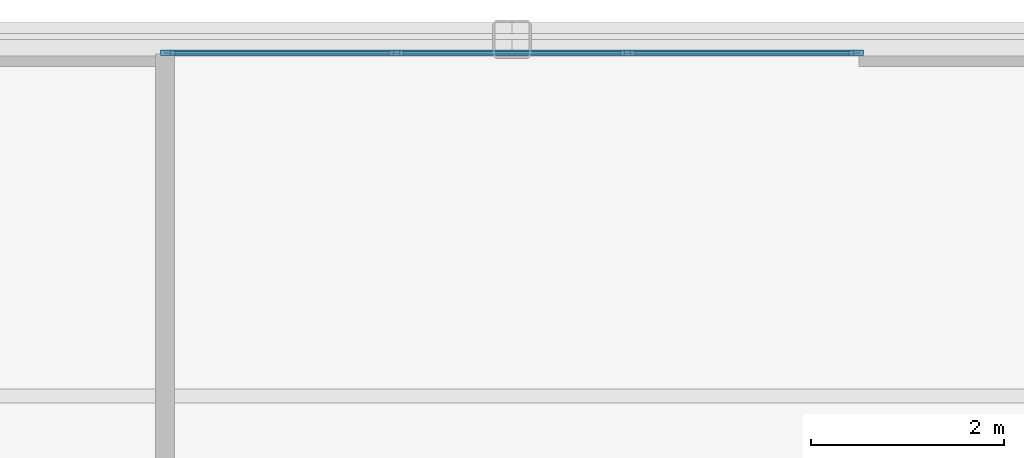
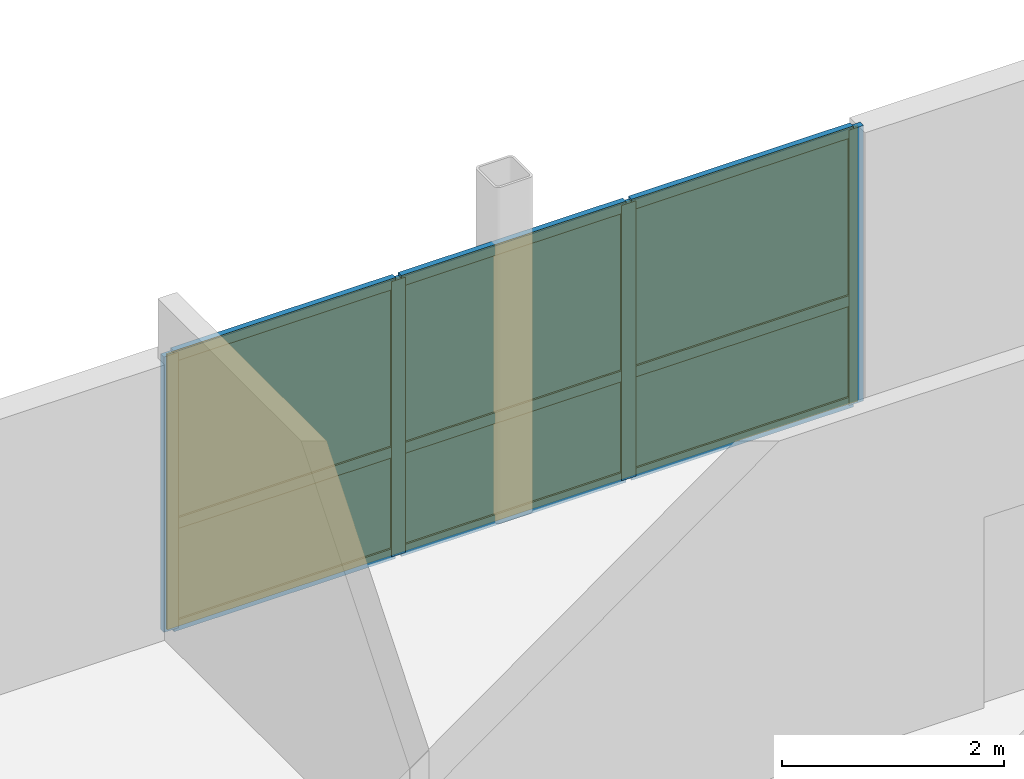
# One storey, part 6 of 10: 13 members, 6 plates, 1 curtain wall.
"""IFC4 building model written with IfcOpenShell, lengths in metres."""

from ifc_helpers import new_model, si_unit, direction, frame, frame_2d, origin, origin_2d, place, context, subcontext, project, spatial, rectangle, extrude, source, transform, mapped, material, layer, layer_set, material_profile, profile_set, type_object, type_shapes, element, aggregate, save


model = new_model("IFC4")

# Units and contexts
model_context = context("Model", 3, precision=1e-05, world=origin(), true_north=direction((0.0, 1.0)))
body_context = subcontext(model_context, "Body", "Model", "MODEL_VIEW")
ifc_project = project(units=[si_unit("LENGTHUNIT", "METRE"), si_unit("AREAUNIT", "SQUARE_METRE"), si_unit("VOLUMEUNIT", "CUBIC_METRE"), si_unit("PLANEANGLEUNIT", "RADIAN"), si_unit("MASSUNIT", "GRAM", prefix="KILO")], contexts=[model_context])

# Member
ifc_material_1 = material(Name="Anodised aluminium 6063-T6", Category="aluminium")
ifc_material_profile_1 = material_profile(ifc_material_1, rectangle(XDim=0.06005859375, YDim=0.14990234375, at=origin_2d()), Name="ALU-MULL-60x150")
ifc_profile_set_1 = profile_set([ifc_material_profile_1], Name="Anodised aluminium 6063-T6")
member_type_1 = type_object("IfcMemberType", Name="CWM-6", PredefinedType="MULLION", material=ifc_profile_set_1)
site_placement = place(None, origin())
building_placement = place(site_placement, origin())
storey_placement = place(building_placement, frame((0.0, 0.0, 295.14990234375)))
member_1_placement = place(storey_placement, frame((-3.570068359375, 16.860107421875, 0.0), z_axis=(0.0, 0.0, 1.0), x_axis=(0.0, 1.0, 0.0)))
member_1 = element("IfcMember", 1, at=member_1_placement, type_object=member_type_1, Name="CWS-6 mullion 1", PredefinedType="MULLION", context=body_context, shape_type="SweptSolid", body=[
    extrude(rectangle(XDim=0.06005859375, YDim=0.14990234375, at=origin_2d()), origin(), (0.0, 0.0, 1.0), 3.03515625),
])

member_2_placement = place(storey_placement, frame((-1.199951171875, 16.860107421875, 0.0), z_axis=(0.0, 0.0, 1.0), x_axis=(0.0, 1.0, 0.0)))
member_2 = element("IfcMember", 2, at=member_2_placement, type_object=member_type_1, Name="CWS-6 mullion 2", PredefinedType="MULLION", context=body_context, shape_type="SweptSolid", body=[
    extrude(rectangle(XDim=0.06005859375, YDim=0.14990234375, at=origin_2d()), origin(), (0.0, 0.0, 1.0), 3.03515625),
])

member_3_placement = place(storey_placement, frame((1.199951171875, 16.860107421875, 0.0), z_axis=(0.0, 0.0, 1.0), x_axis=(0.0, 1.0, 0.0)))
member_3 = element("IfcMember", 3, at=member_3_placement, type_object=member_type_1, Name="CWS-6 mullion 3", PredefinedType="MULLION", context=body_context, shape_type="SweptSolid", body=[
    extrude(rectangle(XDim=0.06005859375, YDim=0.14990234375, at=origin_2d()), origin(), (0.0, 0.0, 1.0), 3.03515625),
])

member_4_placement = place(storey_placement, frame((3.570068359375, 16.860107421875, 0.0), z_axis=(0.0, 0.0, 1.0), x_axis=(0.0, 1.0, 0.0)))
member_4 = element("IfcMember", 4, at=member_4_placement, type_object=member_type_1, Name="CWS-6 mullion 4", PredefinedType="MULLION", context=body_context, shape_type="SweptSolid", body=[
    extrude(rectangle(XDim=0.06005859375, YDim=0.14990234375, at=origin_2d()), origin(), (0.0, 0.0, 1.0), 3.03515625),
])

ifc_material_profile_2 = material_profile(ifc_material_1, rectangle(XDim=0.06005859375, YDim=0.1201171875, at=origin_2d()), Name="ALU-TRAN-60x120")
ifc_profile_set_2 = profile_set([ifc_material_profile_2], Name="Anodised aluminium 6063-T6")
member_type_2 = type_object("IfcMemberType", Name="CWT-6", PredefinedType="USERDEFINED", material=ifc_profile_set_2)
member_5_placement = place(storey_placement, frame((-3.5400390625, 16.860107421875, 0.030029296875), z_axis=(1.0, 0.0, 0.0), x_axis=(0.0, 1.0, 0.0)))
member_5 = element("IfcMember", 5, at=member_5_placement, type_object=member_type_2, Name="CWS-6 transom 1.1", ObjectType="TRANSOM", PredefinedType="USERDEFINED", context=body_context, shape_type="SweptSolid", body=[
    extrude(rectangle(XDim=0.06005859375, YDim=0.1201171875, at=origin_2d()), origin(), (0.0, 0.0, 1.0), 2.31005859375),
])

member_6_placement = place(storey_placement, frame((-3.5400390625, 16.860107421875, 1.1533203125), z_axis=(1.0, 0.0, 0.0), x_axis=(0.0, 1.0, 0.0)))
member_6 = element("IfcMember", 6, at=member_6_placement, type_object=member_type_2, Name="CWS-6 transom 1.2", ObjectType="TRANSOM", PredefinedType="USERDEFINED", context=body_context, shape_type="SweptSolid", body=[
    extrude(rectangle(XDim=0.06005859375, YDim=0.1201171875, at=origin_2d()), origin(), (0.0, 0.0, 1.0), 2.31005859375),
])

member_7_placement = place(storey_placement, frame((-3.5400390625, 16.860107421875, 3.005126953125), z_axis=(1.0, 0.0, 0.0), x_axis=(0.0, 1.0, 0.0)))
member_7 = element("IfcMember", 7, at=member_7_placement, type_object=member_type_2, Name="CWS-6 transom 1.3", ObjectType="TRANSOM", PredefinedType="USERDEFINED", context=body_context, shape_type="SweptSolid", body=[
    extrude(rectangle(XDim=0.06005859375, YDim=0.1201171875, at=origin_2d()), origin(), (0.0, 0.0, 1.0), 2.31005859375),
])

member_8_placement = place(storey_placement, frame((-1.169921875, 16.860107421875, 0.030029296875), z_axis=(1.0, 0.0, 0.0), x_axis=(0.0, 1.0, 0.0)))
member_8 = element("IfcMember", 8, at=member_8_placement, type_object=member_type_2, Name="CWS-6 transom 2.1", ObjectType="TRANSOM", PredefinedType="USERDEFINED", context=body_context, shape_type="SweptSolid", body=[
    extrude(rectangle(XDim=0.06005859375, YDim=0.1201171875, at=origin_2d()), origin(), (0.0, 0.0, 1.0), 2.33984375),
])

member_9_placement = place(storey_placement, frame((-1.169921875, 16.860107421875, 1.1533203125), z_axis=(1.0, 0.0, 0.0), x_axis=(0.0, 1.0, 0.0)))
member_9 = element("IfcMember", 9, at=member_9_placement, type_object=member_type_2, Name="CWS-6 transom 2.2", ObjectType="TRANSOM", PredefinedType="USERDEFINED", context=body_context, shape_type="SweptSolid", body=[
    extrude(rectangle(XDim=0.06005859375, YDim=0.1201171875, at=origin_2d()), origin(), (0.0, 0.0, 1.0), 2.33984375),
])

member_10_placement = place(storey_placement, frame((-1.169921875, 16.860107421875, 3.005126953125), z_axis=(1.0, 0.0, 0.0), x_axis=(0.0, 1.0, 0.0)))
member_10 = element("IfcMember", 10, at=member_10_placement, type_object=member_type_2, Name="CWS-6 transom 2.3", ObjectType="TRANSOM", PredefinedType="USERDEFINED", context=body_context, shape_type="SweptSolid", body=[
    extrude(rectangle(XDim=0.06005859375, YDim=0.1201171875, at=origin_2d()), origin(), (0.0, 0.0, 1.0), 2.33984375),
])

member_11_placement = place(storey_placement, frame((1.22998046875, 16.860107421875, 0.030029296875), z_axis=(1.0, 0.0, 0.0), x_axis=(0.0, 1.0, 0.0)))
member_11 = element("IfcMember", 11, at=member_11_placement, type_object=member_type_2, Name="CWS-6 transom 3.1", ObjectType="TRANSOM", PredefinedType="USERDEFINED", context=body_context, shape_type="SweptSolid", body=[
    extrude(rectangle(XDim=0.06005859375, YDim=0.1201171875, at=origin_2d()), origin(), (0.0, 0.0, 1.0), 2.31005859375),
])

member_12_placement = place(storey_placement, frame((1.22998046875, 16.860107421875, 1.1533203125), z_axis=(1.0, 0.0, 0.0), x_axis=(0.0, 1.0, 0.0)))
member_12 = element("IfcMember", 12, at=member_12_placement, type_object=member_type_2, Name="CWS-6 transom 3.2", ObjectType="TRANSOM", PredefinedType="USERDEFINED", context=body_context, shape_type="SweptSolid", body=[
    extrude(rectangle(XDim=0.06005859375, YDim=0.1201171875, at=origin_2d()), origin(), (0.0, 0.0, 1.0), 2.31005859375),
])

member_13_placement = place(storey_placement, frame((1.22998046875, 16.860107421875, 3.005126953125), z_axis=(1.0, 0.0, 0.0), x_axis=(0.0, 1.0, 0.0)))
member_13 = element("IfcMember", 13, at=member_13_placement, type_object=member_type_2, Name="CWS-6 transom 3.3", ObjectType="TRANSOM", PredefinedType="USERDEFINED", context=body_context, shape_type="SweptSolid", body=[
    extrude(rectangle(XDim=0.06005859375, YDim=0.1201171875, at=origin_2d()), origin(), (0.0, 0.0, 1.0), 2.31005859375),
])

# Plate
ifc_material_2 = material(Name="Insulated solar-control glass", Category="glass")
ifc_layer_1 = layer(ifc_material_2, 0.02392578125, Name="CWP-6")
ifc_layer_set_1 = layer_set([ifc_layer_1], Name="Insulated solar-control glass")
plate_type = type_object("IfcPlateType", Name="CWP-6", PredefinedType="CURTAIN_PANEL", material=ifc_layer_set_1)
shared_shape_1 = source(origin(), body_context, "Body", "SweptSolid", [
    extrude(rectangle(XDim=2.31005859375, YDim=0.02392578125, at=origin_2d()), origin(), (0.0, 0.0, 1.0), 1.063232421875),
])
plate_1_placement = place(storey_placement, frame((-2.385009765625, 16.860107421875, 0.06005859375), z_axis=(0.0, 0.0, 1.0), x_axis=(1.0, 0.0, 0.0)))
plate_1 = element("IfcPlate", 14, at=plate_1_placement, type_object=plate_type, Name="CWS-6 panel 1.1", PredefinedType="CURTAIN_PANEL", context=body_context, shape_type="MappedRepresentation", body=[
    mapped(shared_shape_1, transform((0.0, 0.0, 0.0), scale=1.0)),
])

plate_2_placement = place(storey_placement, frame((2.385009765625, 16.860107421875, 0.06005859375), z_axis=(0.0, 0.0, 1.0), x_axis=(1.0, 0.0, 0.0)))
plate_2 = element("IfcPlate", 15, at=plate_2_placement, type_object=plate_type, Name="CWS-6 panel 3.1", PredefinedType="CURTAIN_PANEL", context=body_context, shape_type="MappedRepresentation", body=[
    mapped(shared_shape_1, transform((0.0, 0.0, 0.0), scale=1.0)),
])

shared_shape_2 = source(origin(), body_context, "Body", "SweptSolid", [
    extrude(rectangle(XDim=2.31005859375, YDim=0.02392578125, at=origin_2d()), origin(), (0.0, 0.0, 1.0), 1.791748046875),
])
plate_3_placement = place(storey_placement, frame((-2.385009765625, 16.860107421875, 1.18359375), z_axis=(0.0, 0.0, 1.0), x_axis=(1.0, 0.0, 0.0)))
plate_3 = element("IfcPlate", 16, at=plate_3_placement, type_object=plate_type, Name="CWS-6 panel 1.2", PredefinedType="CURTAIN_PANEL", context=body_context, shape_type="MappedRepresentation", body=[
    mapped(shared_shape_2, transform((0.0, 0.0, 0.0), scale=1.0)),
])

plate_4_placement = place(storey_placement, frame((2.385009765625, 16.860107421875, 1.18359375), z_axis=(0.0, 0.0, 1.0), x_axis=(1.0, 0.0, 0.0)))
plate_4 = element("IfcPlate", 17, at=plate_4_placement, type_object=plate_type, Name="CWS-6 panel 3.2", PredefinedType="CURTAIN_PANEL", context=body_context, shape_type="MappedRepresentation", body=[
    mapped(shared_shape_2, transform((0.0, 0.0, 0.0), scale=1.0)),
])

shared_shape_3 = source(origin(), body_context, "Body", "SweptSolid", [
    extrude(rectangle(XDim=2.340087890625, YDim=0.02392578125, at=origin_2d()), origin(), (0.0, 0.0, 1.0), 1.063232421875),
])
plate_5_placement = place(storey_placement, frame((0.0, 16.860107421875, 0.06005859375), z_axis=(0.0, 0.0, 1.0), x_axis=(1.0, 0.0, 0.0)))
plate_5 = element("IfcPlate", 18, at=plate_5_placement, type_object=plate_type, Name="CWS-6 panel 2.1", PredefinedType="CURTAIN_PANEL", context=body_context, shape_type="MappedRepresentation", body=[
    mapped(shared_shape_3, transform((0.0, 0.0, 0.0), scale=1.0)),
])

shared_shape_4 = source(origin(), body_context, "Body", "SweptSolid", [
    extrude(rectangle(XDim=2.340087890625, YDim=0.02392578125, at=origin_2d()), origin(), (0.0, 0.0, 1.0), 1.791748046875),
])
type_shapes(plate_type, [shared_shape_1, shared_shape_2, shared_shape_3, shared_shape_4])
plate_6_placement = place(storey_placement, frame((0.0, 16.860107421875, 1.18359375), z_axis=(0.0, 0.0, 1.0), x_axis=(1.0, 0.0, 0.0)))
plate_6 = element("IfcPlate", 19, at=plate_6_placement, type_object=plate_type, Name="CWS-6 panel 2.2", PredefinedType="CURTAIN_PANEL", context=body_context, shape_type="MappedRepresentation", body=[
    mapped(shared_shape_4, transform((0.0, 0.0, 0.0), scale=1.0)),
])

# Site, building, storey
site = spatial("IfcSite", under=ifc_project, at=site_placement, CompositionType="ELEMENT")
building = spatial("IfcBuilding", under=site, at=building_placement, Name="Nuvemarco Arch Tower", CompositionType="ELEMENT")
storey = spatial("IfcBuildingStorey", under=building, at=storey_placement, Name="L78", CompositionType="ELEMENT", Elevation=295.14990234375)

# Curtain wall
ifc_layer_2 = layer(ifc_material_2, 0.14990234375, Name="CW-SYS-6")
ifc_layer_set_2 = layer_set([ifc_layer_2], Name="Insulated solar-control glass")
curtain_wall_type = type_object("IfcCurtainWallType", Name="CW-SYS-6", PredefinedType="NOTDEFINED", material=ifc_layer_set_2)
curtain_wall_placement = place(storey_placement, frame((-3.60009765625, 16.860107421875, 0.0), z_axis=(0.0, 0.0, 1.0), x_axis=(1.0, 0.0, 0.0)))
curtain_wall = element("IfcCurtainWall", 20, at=curtain_wall_placement, inside=storey, type_object=curtain_wall_type, Name="L78 curtain wall CWS-6", PredefinedType="NOTDEFINED", context=body_context, shape_type="SweptSolid", body=[
    extrude(rectangle(XDim=7.2001953125, YDim=0.02001953125, at=frame_2d((3.60009765625, 0.0))), origin(), (0.0, 0.0, 1.0), 3.03515625),
])

aggregate(curtain_wall, [member_1, member_2, member_3, member_4, member_5, member_6, member_7, plate_1, plate_3, member_8, member_9, member_10, plate_5, plate_6, member_11, member_12, member_13, plate_2, plate_4])

save(model, "model.ifc")
